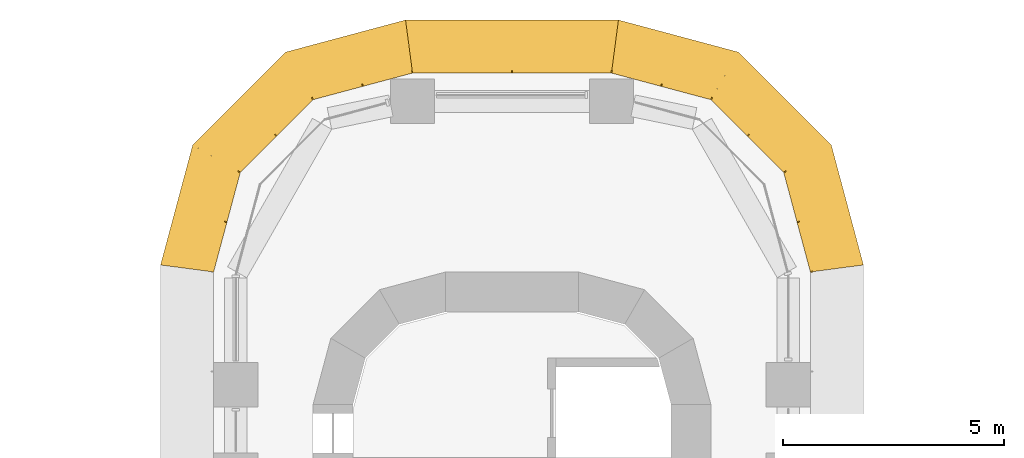
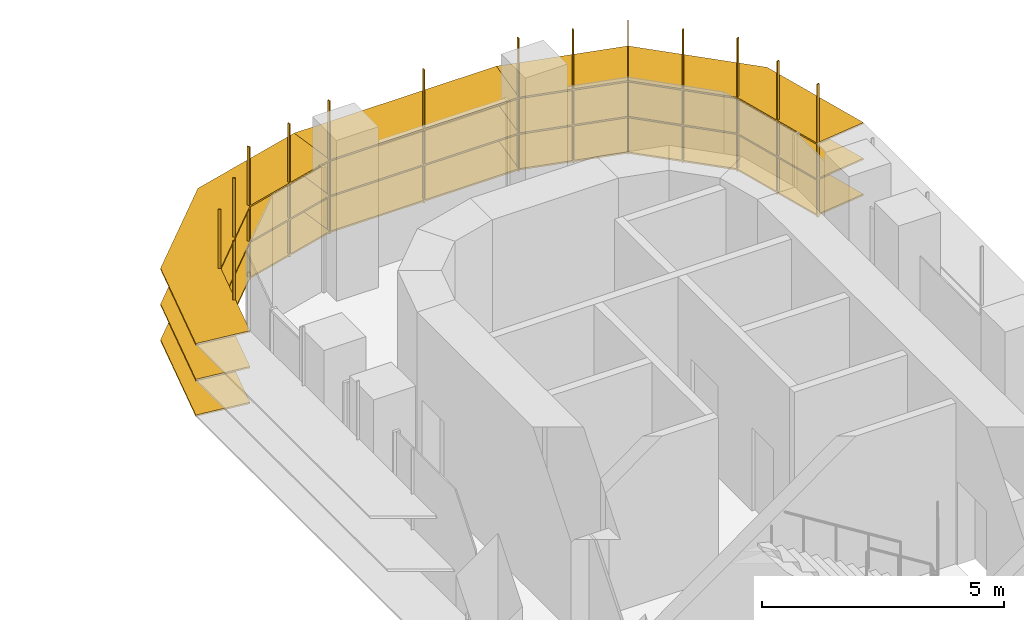
# One storey, part 23 of 23: 3 shading devices.
"""IFC4 building model written with IfcOpenShell, lengths in metres."""

import ifcopenshell
import ifcopenshell.guid

model = None  # the IFC model being written
_history = None  # IfcOwnerHistory: only IFC2X3 demands one
_inside = {}  # id of a spatial element -> (the spatial element, [elements in it])
_under = {}  # id of a project, library or spatial element -> (it, [spatial elements below it])
_declared = {}  # id of a project -> (the project, [libraries it declares])
_typed = {}  # id of a type object -> (the type object, [elements of that type])
_made_of = {}  # id of a material, layer set ... -> (it, [elements and type objects made of it])


def new_model(schema):
    """Start an empty IFC model of exactly this schema.

    Asked for "IFC4X3", IfcOpenShell would pick the latest addendum, in which some entities
    have other attributes; the version numbers below select the first issue.
    IFC2X3 requires an IfcOwnerHistory on every rooted entity: one is made here for all.
    """
    global model, _history
    if schema == "IFC4X3":
        model = ifcopenshell.file(schema_version=(4, 3, 0, 0))
    else:
        model = ifcopenshell.file(schema=schema)
    _inside.clear()
    _under.clear()
    _declared.clear()
    _typed.clear()
    _made_of.clear()
    _history = None
    if model.schema == "IFC2X3":
        org = make("IfcOrganization", Name="unknown")
        user = make(
            "IfcPersonAndOrganization",
            ThePerson=make("IfcPerson", FamilyName="unknown"),
            TheOrganization=org,
        )
        app = make(
            "IfcApplication",
            ApplicationDeveloper=org,
            Version="unknown",
            ApplicationFullName="unknown",
            ApplicationIdentifier="unknown",
        )
        _history = make(
            "IfcOwnerHistory",
            OwningUser=user,
            OwningApplication=app,
            ChangeAction="ADDED",
            CreationDate=0,
        )
    return model


def make(cls, **values):
    """One entity of the class cls with the attributes given. An attribute that is None is left unset."""
    return model.create_entity(
        cls, **{name: value for name, value in values.items() if value is not None}
    )


def rooted(cls, **values):
    """An entity with a GlobalId (a new one), such as an element, a storey or a relation."""
    return make(cls, GlobalId=ifcopenshell.guid.new(), OwnerHistory=_history, **values)


def si_unit(unit_type, name, prefix=None):
    """IfcSIUnit, for example si_unit("LENGTHUNIT", "METRE", prefix="MILLI")."""
    return make("IfcSIUnit", UnitType=unit_type, Prefix=prefix, Name=name)


def assignment(units):
    """IfcUnitAssignment: the units of a project."""
    return None if units is None else make("IfcUnitAssignment", Units=units)


def point(xyz):
    """IfcCartesianPoint."""
    return None if xyz is None else make("IfcCartesianPoint", Coordinates=xyz)


def direction(xyz):
    """IfcDirection."""
    return None if xyz is None else make("IfcDirection", DirectionRatios=xyz)


def frame(location, z_axis=None, x_axis=None):
    """IfcAxis2Placement3D, a coordinate frame: its origin and axes. An axis left out is left unset."""
    return make(
        "IfcAxis2Placement3D",
        Location=point(location),
        Axis=direction(z_axis),
        RefDirection=direction(x_axis),
    )


def origin():
    """The frame at (0, 0, 0) with its axes left unset."""
    return frame((0.0, 0.0, 0.0))


def place(relative_to, where):
    """IfcLocalPlacement: puts the frame where relative to a parent placement (None: the world)."""
    return make(
        "IfcLocalPlacement", PlacementRelTo=relative_to, RelativePlacement=where
    )


def context(
    kind, dimensions, precision=None, world=None, true_north=None, identifier=None
):
    """IfcGeometricRepresentationContext, for example the 3D "Model" context."""
    return make(
        "IfcGeometricRepresentationContext",
        ContextIdentifier=identifier,
        ContextType=kind,
        CoordinateSpaceDimension=dimensions,
        Precision=precision,
        WorldCoordinateSystem=world,
        TrueNorth=true_north,
    )


def subcontext(parent, identifier, kind, view, scale=None):
    """IfcGeometricRepresentationSubContext, for example "Body" below "Model"."""
    return make(
        "IfcGeometricRepresentationSubContext",
        ContextIdentifier=identifier,
        ContextType=kind,
        ParentContext=parent,
        TargetScale=scale,
        TargetView=view,
    )


def project(units=None, contexts=None):
    """IfcProject with its units and contexts."""
    return rooted(
        "IfcProject",
        Name="project",
        RepresentationContexts=contexts,
        UnitsInContext=assignment(units),
    )


def spatial(cls, under=None, at=None, **own):
    """A site, building, storey or space (cls), placed at a placement, below another one or the project."""
    s = rooted(cls, ObjectPlacement=at, **own)
    if under is not None:
        _under.setdefault(under.id(), (under, []))[1].append(s)
    return s


def polyline(points):
    """IfcPolyline through the points."""
    return make("IfcPolyline", Points=[point(p) for p in points])


def outline(outer, holes=None, kind="AREA"):
    """IfcArbitraryClosedProfileDef: a profile drawn as a closed curve; with holes, ...WithVoids."""
    if holes is None:
        return make("IfcArbitraryClosedProfileDef", ProfileType=kind, OuterCurve=outer)
    return make(
        "IfcArbitraryProfileDefWithVoids",
        ProfileType=kind,
        OuterCurve=outer,
        InnerCurves=holes,
    )


def extrude(swept, where, along, depth):
    """IfcExtrudedAreaSolid: the profile swept, set in the frame where, extruded along a direction by depth."""
    return make(
        "IfcExtrudedAreaSolid",
        SweptArea=swept,
        Position=where,
        ExtrudedDirection=direction(along),
        Depth=depth,
    )


def faces_of(points, faces, orient=None, outer=None):
    """IfcFace entities. A face is a list of loops; a loop is a list of indices into points, from 0.

    orient and outer hold one flag for each loop. By default every Orientation is true, the
    first loop of a face is its IfcFaceOuterBound and the others are IfcFaceBound.
    """
    made = []
    for i, loops in enumerate(faces):
        bounds = []
        for j, loop in enumerate(loops):
            is_outer = j == 0 if outer is None else outer[i][j]
            bounds.append(
                make(
                    "IfcFaceOuterBound" if is_outer else "IfcFaceBound",
                    Bound=make("IfcPolyLoop", Polygon=[points[k] for k in loop]),
                    Orientation=True if orient is None else orient[i][j],
                )
            )
        made.append(make("IfcFace", Bounds=bounds))
    return made


def faceted_brep(points, faces, orient=None, outer=None, voids=None):
    """IfcFacetedBrep: a solid bounded by flat faces; with voids (closed shells), ...WithVoids."""
    shared = [point(p) for p in points]
    hull = make("IfcClosedShell", CfsFaces=faces_of(shared, faces, orient, outer))
    if voids is None:
        return make("IfcFacetedBrep", Outer=hull)
    return make(
        "IfcFacetedBrepWithVoids",
        Outer=hull,
        Voids=[
            make(cls, CfsFaces=faces_of(shared, fs, o, b)) for cls, fs, o, b in voids
        ],
    )


def shape(context_of_items, identifier, shape_type, items):
    """IfcShapeRepresentation: the items that make up one representation, for example the "Body"."""
    return make(
        "IfcShapeRepresentation",
        ContextOfItems=context_of_items,
        RepresentationIdentifier=identifier,
        RepresentationType=shape_type,
        Items=items,
    )


def source(mapping_origin, context_of_items, identifier, shape_type, items):
    """IfcRepresentationMap: a shape defined once, which mapped items show again and again."""
    return make(
        "IfcRepresentationMap",
        MappingOrigin=mapping_origin,
        MappedRepresentation=shape(context_of_items, identifier, shape_type, items),
    )


def transform(
    local_origin,
    x_axis=None,
    y_axis=None,
    z_axis=None,
    scale=None,
    scale2=None,
    scale3=None,
    uniform=True,
):
    """IfcCartesianTransformationOperator3D, or its non-uniform kind. x_axis, y_axis, z_axis: its Axis1, 2, 3."""
    if uniform:
        return make(
            "IfcCartesianTransformationOperator3D",
            Axis1=direction(x_axis),
            Axis2=direction(y_axis),
            LocalOrigin=point(local_origin),
            Scale=scale,
            Axis3=direction(z_axis),
        )
    return make(
        "IfcCartesianTransformationOperator3DnonUniform",
        Axis1=direction(x_axis),
        Axis2=direction(y_axis),
        LocalOrigin=point(local_origin),
        Scale=scale,
        Axis3=direction(z_axis),
        Scale2=scale2,
        Scale3=scale3,
    )


def mapped(mapping_source, mapping_target):
    """IfcMappedItem: shows the shape of a source again, moved by a transform."""
    return make(
        "IfcMappedItem", MappingSource=mapping_source, MappingTarget=mapping_target
    )


def material(Name=None, Category=None):
    """IfcMaterial."""
    return make("IfcMaterial", Name=Name, Category=Category)


def made_of(thing, what):
    """Note that an element or type object is made of a material, layer set ...; save() writes the relation."""
    if what is not None:
        _made_of.setdefault(what.id(), (what, []))[1].append(thing)
    return thing


def type_object(cls, material=None, **own):
    """A type object (cls), such as IfcWallType, which elements share."""
    return made_of(rooted(cls, **own), material)


def element(
    cls,
    number,
    at=None,
    inside=None,
    cuts=None,
    type_object=None,
    material=None,
    context=None,
    identifier="Body",
    shape_type=None,
    held_by="IfcProductDefinitionShape",
    body=None,
    shapes=None,
    **own,
):
    """One element of the class cls, such as IfcWall. Its Tag is "e" and its number.

    at: its placement. inside: the storey or other place that contains it. cuts: it is an
    opening in that element (IfcRelVoidsElement). A single representation is given by context,
    identifier, shape_type and body (its items); several are given by shapes. held_by: the class
    of the entity that holds the representations. save() writes the other relations.
    """
    e = rooted(cls, Tag="e%d" % number, ObjectPlacement=at, **own)
    if body is not None:
        shapes = [shape(context, identifier, shape_type, body)]
    if shapes is not None:
        e.Representation = make(held_by, Representations=shapes)
    if inside is not None:
        _inside.setdefault(inside.id(), (inside, []))[1].append(e)
    if cuts is not None:
        rooted(
            "IfcRelVoidsElement", RelatingBuildingElement=cuts, RelatedOpeningElement=e
        )
    if type_object is not None:
        _typed.setdefault(type_object.id(), (type_object, []))[1].append(e)
    return made_of(e, material)


def aggregate(whole, parts):
    """IfcRelAggregates: a whole, such as a stair, and the parts it consists of."""
    return rooted("IfcRelAggregates", RelatingObject=whole, RelatedObjects=parts)


def save(model, path):
    """Write the relations noted so far, then the file.

    IfcRelAggregates (storeys below a building ...), IfcRelContainedInSpatialStructure (elements
    in a storey), IfcRelDefinesByType, IfcRelAssociatesMaterial and IfcRelDeclares: one each for
    every whole, place, type object, material and project.
    """
    for whole, parts in _under.values():
        aggregate(whole, parts)
    for where, things in _inside.values():
        rooted(
            "IfcRelContainedInSpatialStructure",
            RelatedElements=things,
            RelatingStructure=where,
        )
    for kind, things in _typed.values():
        rooted("IfcRelDefinesByType", RelatedObjects=things, RelatingType=kind)
    for what, things in _made_of.values():
        rooted("IfcRelAssociatesMaterial", RelatedObjects=things, RelatingMaterial=what)
    for by, libraries in _declared.values():
        rooted("IfcRelDeclares", RelatingContext=by, RelatedDefinitions=libraries)
    model.write(path)


model = new_model("IFC4")

# Units and contexts
model_context = context("Model", 3, precision=1e-05, world=origin(), true_north=direction((0.0, 1.0)))
body_context = subcontext(model_context, "Body", "Model", "MODEL_VIEW")
ifc_project = project(units=[si_unit("LENGTHUNIT", "METRE"), si_unit("AREAUNIT", "SQUARE_METRE"), si_unit("VOLUMEUNIT", "CUBIC_METRE"), si_unit("PLANEANGLEUNIT", "RADIAN"), si_unit("MASSUNIT", "GRAM", prefix="KILO")], contexts=[model_context])

# Site, building, storey
site_placement = place(None, origin())
site = spatial("IfcSite", under=ifc_project, at=site_placement, CompositionType="ELEMENT")
building_placement = place(site_placement, origin())
building = spatial("IfcBuilding", under=site, at=building_placement, Name="Zarbagh Exchange Tower", CompositionType="ELEMENT")
storey_placement = place(building_placement, frame((0.0, 0.0, 39.60009765625)))
storey = spatial("IfcBuildingStorey", under=building, at=storey_placement, Name="L08", CompositionType="ELEMENT", Elevation=39.60009765625)

# Shading devices
ifc_material = material(Name="Anodised aluminium blades and brackets", Category="aluminium")
shading_device_type = type_object("IfcShadingDeviceType", Name="SUNSHADE louvre band, 0 degree blades", PredefinedType="JALOUSIE", material=ifc_material)
shared_shape_1 = source(origin(), body_context, "Body", "Brep", [
    faceted_brep([(0.0, 0.0, 0.0), (0.0, 0.0, -0.0400390625), (-0.157958984375, -1.199951171875, -0.0400390625), (-0.157958984375, -1.199951171875, 0.0), (2.65087890625, -1.199951171875, 0.0), (2.65087890625, -1.199951171875, -0.0400390625), (2.329345703125, 0.0, -0.0400390625), (2.329345703125, 0.0, 0.0)], [[[0, 1, 2, 3]], [[4, 5, 6, 7]], [[0, 7, 6, 1]], [[1, 6, 5, 2]], [[2, 5, 4, 3]], [[3, 4, 7, 0]]]),
])
shared_shape_2 = source(origin(), body_context, "Body", "Brep", [
    faceted_brep([(0.0, 0.0, 0.0), (0.0, 0.0, -0.0400390625), (-0.321533203125, -1.199951171875, -0.0400390625), (-0.321533203125, -1.199951171875, 0.0), (2.65087890625, -1.199951171875, 0.0), (2.65087890625, -1.199951171875, -0.0400390625), (2.329345703125, 0.0, -0.0400390625), (2.329345703125, 0.0, 0.0)], [[[0, 1, 2, 3]], [[4, 5, 6, 7]], [[0, 7, 6, 1]], [[1, 6, 5, 2]], [[2, 5, 4, 3]], [[3, 4, 7, 0]]]),
])
shared_shape_3 = source(origin(), body_context, "Body", "Brep", [
    faceted_brep([(0.0, 0.0, 0.0), (0.0, 0.0, -0.0400390625), (-0.321533203125, -1.199951171875, -0.0400390625), (-0.321533203125, -1.199951171875, 0.0), (2.4873046875, -1.199951171875, 0.0), (2.4873046875, -1.199951171875, -0.0400390625), (2.329345703125, 0.0, -0.0400390625), (2.329345703125, 0.0, 0.0)], [[[0, 1, 2, 3]], [[4, 5, 6, 7]], [[0, 7, 6, 1]], [[1, 6, 5, 2]], [[2, 5, 4, 3]], [[3, 4, 7, 0]]]),
])
shared_shape_4 = source(origin(), body_context, "Body", "SweptSolid", [
    extrude(outline(polyline([(0.0, -0.012451171875), (0.06005859375, -0.012451171875), (0.06005859375, 0.012451171875), (0.0, 0.012451171875), (0.0, -0.012451171875)])), origin(), (0.0, 0.0, 1.0), 3.35009765625),
])
placement = place(storey_placement, origin())
element("IfcShadingDevice", 1, at=placement, inside=storey, type_object=shading_device_type, Name="SS11 sunshade band", PredefinedType="JALOUSIE", context=body_context, shape_type="MappedRepresentation", body=[
    mapped(shared_shape_1, transform((6.75, 29.25, 2.699951171875), x_axis=(-0.258824779902, 0.965924289636, 0.0), y_axis=(-0.965924289636, -0.258824779902, 0.0), z_axis=(0.0, 0.0, 1.0))),
    mapped(shared_shape_1, transform((6.75, 29.25, 1.7998046875), x_axis=(-0.258824779902, 0.965924289636, 0.0), y_axis=(-0.965924289636, -0.258824779902, 0.0), z_axis=(0.0, 0.0, 1.0))),
    mapped(shared_shape_1, transform((6.75, 29.25, 0.89990234375), x_axis=(-0.258824779902, 0.965924289636, 0.0), y_axis=(-0.965924289636, -0.258824779902, 0.0), z_axis=(0.0, 0.0, 1.0))),
    mapped(shared_shape_2, transform((6.147216796875, 31.5, 2.699951171875), x_axis=(-0.707106781187, 0.707106781187, 0.0), y_axis=(-0.707106781187, -0.707106781187, 0.0), z_axis=(0.0, 0.0, 1.0))),
    mapped(shared_shape_2, transform((6.147216796875, 31.5, 1.7998046875), x_axis=(-0.707106781187, 0.707106781187, 0.0), y_axis=(-0.707106781187, -0.707106781187, 0.0), z_axis=(0.0, 0.0, 1.0))),
    mapped(shared_shape_2, transform((6.147216796875, 31.5, 0.89990234375), x_axis=(-0.707106781187, 0.707106781187, 0.0), y_axis=(-0.707106781187, -0.707106781187, 0.0), z_axis=(0.0, 0.0, 1.0))),
    mapped(shared_shape_3, transform((4.5, 33.147216796875, 2.699951171875), x_axis=(-0.965924289636, 0.258824779902, 0.0), y_axis=(-0.258824779902, -0.965924289636, 0.0), z_axis=(0.0, 0.0, 1.0))),
    mapped(shared_shape_3, transform((4.5, 33.147216796875, 1.7998046875), x_axis=(-0.965924289636, 0.258824779902, 0.0), y_axis=(-0.258824779902, -0.965924289636, 0.0), z_axis=(0.0, 0.0, 1.0))),
    mapped(shared_shape_3, transform((4.5, 33.147216796875, 0.89990234375), x_axis=(-0.965924289636, 0.258824779902, 0.0), y_axis=(-0.258824779902, -0.965924289636, 0.0), z_axis=(0.0, 0.0, 1.0))),
    mapped(shared_shape_4, transform((6.75, 29.25, 0.829833984375), x_axis=(0.991444457092, 0.130529263012, 0.0), y_axis=(-0.130529263012, 0.991444457092, 0.0), z_axis=(0.0, 0.0, 1.0))),
    mapped(shared_shape_4, transform((6.448486328125, 30.375, 0.829833984375), x_axis=(0.96592421511, 0.258825058029, 0.0), y_axis=(-0.258825058029, 0.96592421511, 0.0), z_axis=(0.0, 0.0, 1.0))),
    mapped(shared_shape_4, transform((6.147216796875, 31.5, 0.829833984375), x_axis=(0.866023812018, 0.50000275701, 0.0), y_axis=(-0.50000275701, 0.866023812018, 0.0), z_axis=(0.0, 0.0, 1.0))),
    mapped(shared_shape_4, transform((5.323486328125, 32.323486328125, 0.829833984375), x_axis=(0.707106781187, 0.707106781187, 0.0), y_axis=(-0.707106781187, 0.707106781187, 0.0), z_axis=(0.0, 0.0, 1.0))),
    mapped(shared_shape_4, transform((4.5, 33.147216796875, 0.829833984375), x_axis=(0.50000275701, 0.866023812018, 0.0), y_axis=(-0.866023812018, 0.50000275701, 0.0), z_axis=(0.0, 0.0, 1.0))),
    mapped(shared_shape_4, transform((3.375, 33.448486328125, 0.829833984375), x_axis=(0.258825058029, 0.96592421511, 0.0), y_axis=(-0.96592421511, 0.258825058029, 0.0), z_axis=(0.0, 0.0, 1.0))),
])
element("IfcShadingDevice", 2, at=placement, inside=storey, type_object=shading_device_type, Name="SS13 sunshade band", PredefinedType="JALOUSIE", context=body_context, shape_type="MappedRepresentation", body=[
    mapped(shared_shape_1, transform((-2.25, 33.75, 2.699951171875), x_axis=(-0.965924289636, -0.258824779902, 0.0), y_axis=(0.258824779902, -0.965924289636, 0.0), z_axis=(0.0, 0.0, 1.0))),
    mapped(shared_shape_1, transform((-2.25, 33.75, 1.7998046875), x_axis=(-0.965924289636, -0.258824779902, 0.0), y_axis=(0.258824779902, -0.965924289636, 0.0), z_axis=(0.0, 0.0, 1.0))),
    mapped(shared_shape_1, transform((-2.25, 33.75, 0.89990234375), x_axis=(-0.965924289636, -0.258824779902, 0.0), y_axis=(0.258824779902, -0.965924289636, 0.0), z_axis=(0.0, 0.0, 1.0))),
    mapped(shared_shape_2, transform((-4.5, 33.147216796875, 2.699951171875), x_axis=(-0.707106781187, -0.707106781187, 0.0), y_axis=(0.707106781187, -0.707106781187, 0.0), z_axis=(0.0, 0.0, 1.0))),
    mapped(shared_shape_2, transform((-4.5, 33.147216796875, 1.7998046875), x_axis=(-0.707106781187, -0.707106781187, 0.0), y_axis=(0.707106781187, -0.707106781187, 0.0), z_axis=(0.0, 0.0, 1.0))),
    mapped(shared_shape_2, transform((-4.5, 33.147216796875, 0.89990234375), x_axis=(-0.707106781187, -0.707106781187, 0.0), y_axis=(0.707106781187, -0.707106781187, 0.0), z_axis=(0.0, 0.0, 1.0))),
    mapped(shared_shape_3, transform((-6.147216796875, 31.5, 2.699951171875), x_axis=(-0.258824779902, -0.965924289636, 0.0), y_axis=(0.965924289636, -0.258824779902, 0.0), z_axis=(0.0, 0.0, 1.0))),
    mapped(shared_shape_3, transform((-6.147216796875, 31.5, 1.7998046875), x_axis=(-0.258824779902, -0.965924289636, 0.0), y_axis=(0.965924289636, -0.258824779902, 0.0), z_axis=(0.0, 0.0, 1.0))),
    mapped(shared_shape_3, transform((-6.147216796875, 31.5, 0.89990234375), x_axis=(-0.258824779902, -0.965924289636, 0.0), y_axis=(0.965924289636, -0.258824779902, 0.0), z_axis=(0.0, 0.0, 1.0))),
    mapped(shared_shape_4, transform((-2.25, 33.75, 0.829833984375), x_axis=(-0.130529263012, 0.991444457092, 0.0), y_axis=(-0.991444457092, -0.130529263012, 0.0), z_axis=(0.0, 0.0, 1.0))),
    mapped(shared_shape_4, transform((-3.375, 33.448486328125, 0.829833984375), x_axis=(-0.258825058029, 0.96592421511, 0.0), y_axis=(-0.96592421511, -0.258825058029, 0.0), z_axis=(0.0, 0.0, 1.0))),
    mapped(shared_shape_4, transform((-4.5, 33.147216796875, 0.829833984375), x_axis=(-0.50000275701, 0.866023812018, 0.0), y_axis=(-0.866023812018, -0.50000275701, 0.0), z_axis=(0.0, 0.0, 1.0))),
    mapped(shared_shape_4, transform((-5.323486328125, 32.323486328125, 0.829833984375), x_axis=(-0.707106781187, 0.707106781187, 0.0), y_axis=(-0.707106781187, -0.707106781187, 0.0), z_axis=(0.0, 0.0, 1.0))),
    mapped(shared_shape_4, transform((-6.147216796875, 31.5, 0.829833984375), x_axis=(-0.866023812018, 0.50000275701, 0.0), y_axis=(-0.50000275701, -0.866023812018, 0.0), z_axis=(0.0, 0.0, 1.0))),
    mapped(shared_shape_4, transform((-6.448486328125, 30.375, 0.829833984375), x_axis=(-0.96592421511, 0.258825058029, 0.0), y_axis=(-0.258825058029, -0.96592421511, 0.0), z_axis=(0.0, 0.0, 1.0))),
])
shared_shape_5 = source(origin(), body_context, "Body", "Brep", [
    faceted_brep([(0.0, 0.0, 0.0), (0.0, 0.0, -0.0400390625), (-0.157958984375, -1.199951171875, -0.0400390625), (-0.157958984375, -1.199951171875, 0.0), (4.657958984375, -1.199951171875, 0.0), (4.657958984375, -1.199951171875, -0.0400390625), (4.5, 0.0, -0.0400390625), (4.5, 0.0, 0.0)], [[[0, 1, 2, 3]], [[4, 5, 6, 7]], [[0, 7, 6, 1]], [[1, 6, 5, 2]], [[2, 5, 4, 3]], [[3, 4, 7, 0]]]),
])
element("IfcShadingDevice", 3, at=placement, inside=storey, type_object=shading_device_type, Name="SS12 sunshade band", PredefinedType="JALOUSIE", context=body_context, shape_type="MappedRepresentation", body=[
    mapped(shared_shape_5, transform((2.25, 33.75, 2.699951171875), x_axis=(-1.0, 0.0, 0.0), y_axis=(0.0, -1.0, 0.0), z_axis=(0.0, 0.0, 1.0))),
    mapped(shared_shape_5, transform((2.25, 33.75, 1.7998046875), x_axis=(-1.0, 0.0, 0.0), y_axis=(0.0, -1.0, 0.0), z_axis=(0.0, 0.0, 1.0))),
    mapped(shared_shape_5, transform((2.25, 33.75, 0.89990234375), x_axis=(-1.0, 0.0, 0.0), y_axis=(0.0, -1.0, 0.0), z_axis=(0.0, 0.0, 1.0))),
    mapped(shared_shape_4, transform((2.25, 33.75, 0.829833984375), x_axis=(0.130529263012, 0.991444457092, 0.0), y_axis=(-0.991444457092, 0.130529263012, 0.0), z_axis=(0.0, 0.0, 1.0))),
    mapped(shared_shape_4, transform((0.0, 33.75, 0.829833984375), x_axis=(0.0, 1.0, 0.0), y_axis=(-1.0, 0.0, 0.0), z_axis=(0.0, 0.0, 1.0))),
])

save(model, "model.ifc")
